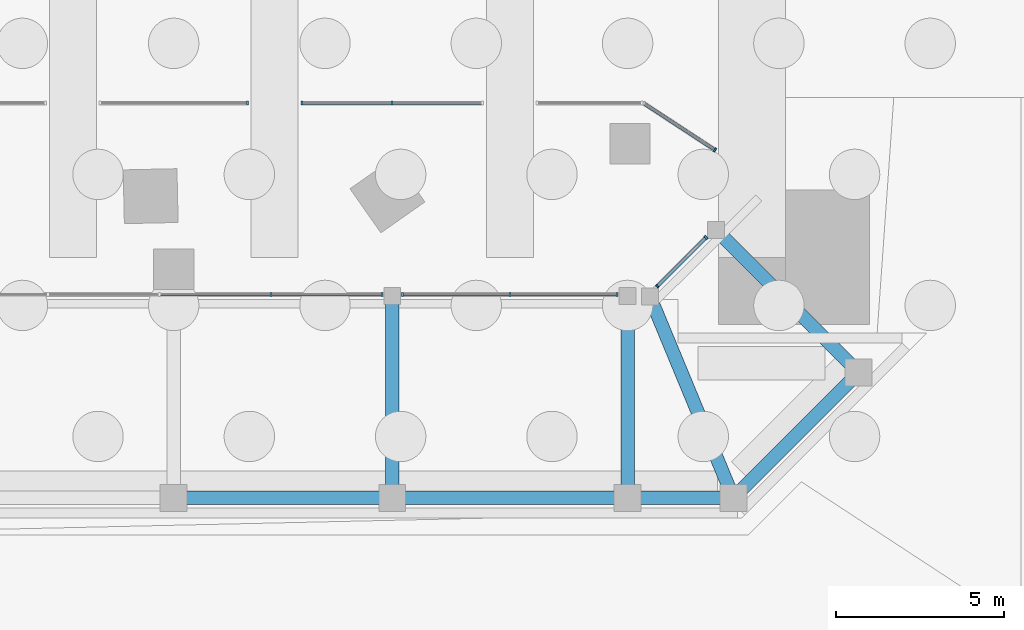
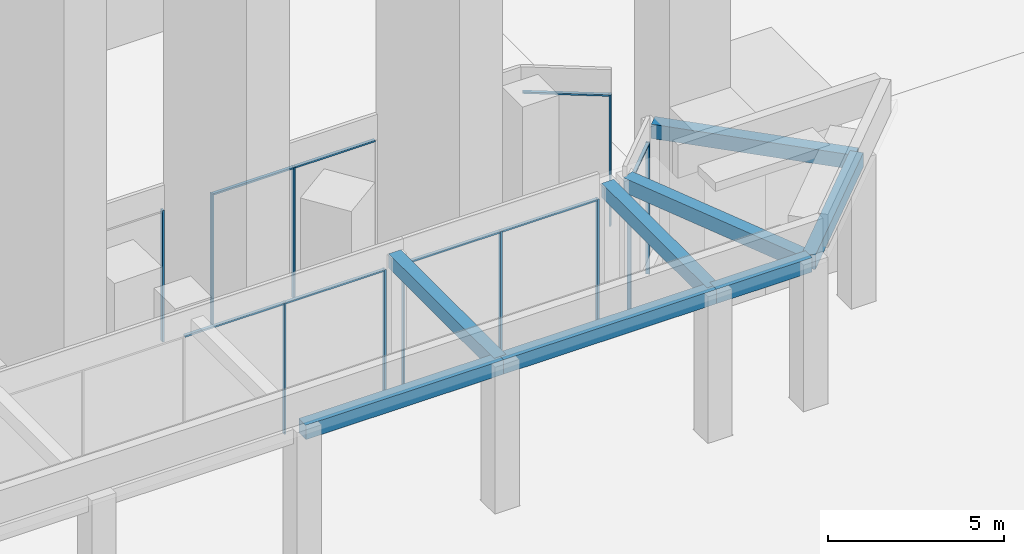
# One storey, part 23 of 46: 19 members, 8 beams, 6 elements without a shape of their own.
"""IFC4 building model written with IfcOpenShell, lengths in metres."""

from ifc_helpers import new_model, si_unit, direction, frame, origin, origin_2d, place, context, subcontext, project, spatial, rectangle, extrude, material, material_profile, profile_set, type_object, element, aggregate, save


model = new_model("IFC4")

# Units and contexts
model_context = context("Model", 3, precision=1e-05, world=origin(), true_north=direction((0.0, 1.0)))
body_context = subcontext(model_context, "Body", "Model", "MODEL_VIEW")
ifc_project = project(units=[si_unit("LENGTHUNIT", "METRE"), si_unit("AREAUNIT", "SQUARE_METRE"), si_unit("VOLUMEUNIT", "CUBIC_METRE"), si_unit("PLANEANGLEUNIT", "RADIAN"), si_unit("MASSUNIT", "GRAM", prefix="KILO")], contexts=[model_context])

# Site, building, storey
site_placement = place(None, origin())
site = spatial("IfcSite", under=ifc_project, at=site_placement, CompositionType="ELEMENT")
building_placement = place(site_placement, origin())
building = spatial("IfcBuilding", under=site, at=building_placement, Name="Mangrove Gate Tower", CompositionType="ELEMENT")
storey_placement = place(building_placement, origin())
storey = spatial("IfcBuildingStorey", under=building, at=storey_placement, Name="L00", CompositionType="ELEMENT", Elevation=0.0)

# Beams
ifc_material_1 = material(Name="Concrete C70/85", Category="concrete")
ifc_material_profile_1 = material_profile(ifc_material_1, rectangle(XDim=0.39990234375, YDim=0.5, at=origin_2d()))
ifc_profile_set_1 = profile_set([ifc_material_profile_1], Name="Concrete C70/85")
beam_type = type_object("IfcBeamType", Name="Canopy beam RC 400x500 C70/85", PredefinedType="BEAM", material=ifc_profile_set_1)
beam_1_placement = place(storey_placement, frame((18.0, -36.89990234375, 4.830078125), z_axis=(1.0, 0.0, 0.0), x_axis=(0.0, 1.0, 0.0)))
element("IfcBeam", 1, at=beam_1_placement, inside=storey, type_object=beam_type, Name="Canopy beam L00 CES09", PredefinedType="BEAM", context=body_context, shape_type="SweptSolid", body=[
    extrude(rectangle(XDim=0.39990234375, YDim=0.5, at=origin_2d()), origin(), (0.0, 0.0, 1.0), 6.5),
])
beam_2_placement = place(storey_placement, frame((24.5, -36.89990234375, 4.830078125), z_axis=(1.0, 0.0, 0.0), x_axis=(0.0, 1.0, 0.0)))
element("IfcBeam", 2, at=beam_2_placement, inside=storey, type_object=beam_type, Name="Canopy beam L00 CES10", PredefinedType="BEAM", context=body_context, shape_type="SweptSolid", body=[
    extrude(rectangle(XDim=0.39990234375, YDim=0.5, at=origin_2d()), origin(), (0.0, 0.0, 1.0), 7.0),
])
beam_3_placement = place(storey_placement, frame((31.5, -36.89990234375, 4.830078125), z_axis=(1.0, 0.0, 0.0), x_axis=(0.0, 1.0, 0.0)))
element("IfcBeam", 3, at=beam_3_placement, inside=storey, type_object=beam_type, Name="Canopy beam L00 CES11", PredefinedType="BEAM", context=body_context, shape_type="SweptSolid", body=[
    extrude(rectangle(XDim=0.39990234375, YDim=0.5, at=origin_2d()), origin(), (0.0, 0.0, 1.0), 3.14404296875),
])
beam_4_placement = place(storey_placement, frame((34.64404296875, -36.89990234375, 4.830078125), z_axis=(0.707129935029, 0.707083626586, 0.0), x_axis=(-0.707083626586, 0.707129935029, 0.0)))
element("IfcBeam", 4, at=beam_4_placement, inside=storey, type_object=beam_type, Name="Canopy beam L00 CES12", PredefinedType="BEAM", context=body_context, shape_type="SweptSolid", body=[
    extrude(rectangle(XDim=0.39990234375, YDim=0.5, at=origin_2d()), origin(), (0.0, 0.0, 1.0), 5.27197265625),
])
for number, where, z_axis, x_axis, name in (
    (5, (24.5, -30.89990234375, 4.830078125), (0.0, -1.0, 0.0), (1.0, 0.0, 0.0), "Canopy beam L00 CBS10"),
    (6, (31.5, -30.89990234375, 4.830078125), (0.0, -1.0, 0.0), (1.0, 0.0, 0.0), "Canopy beam L00 CBS11"),
):
    element("IfcBeam", number, at=place(storey_placement, frame(where, z_axis=z_axis, x_axis=x_axis)), inside=storey, type_object=beam_type, Name=name, PredefinedType="BEAM", context=body_context, shape_type="SweptSolid", body=[
        extrude(rectangle(XDim=0.39990234375, YDim=0.5, at=origin_2d()), origin(), (0.0, 0.0, 1.0), 6.0),
    ])
beam_5_placement = place(storey_placement, frame((32.16162109375, -30.90771484375, 4.830078125), z_axis=(0.382732984475, -0.923859005798, 0.0), x_axis=(0.923859005798, 0.382732984475, 0.0)))
element("IfcBeam", 7, at=beam_5_placement, inside=storey, type_object=beam_type, Name="Canopy beam L00 CBS12", PredefinedType="BEAM", context=body_context, shape_type="SweptSolid", body=[
    extrude(rectangle(XDim=0.39990234375, YDim=0.5, at=origin_2d()), origin(), (0.0, 0.0, 1.0), 6.486083984375),
])
beam_6_placement = place(storey_placement, frame((34.12939453125, -28.92919921875, 4.830078125), z_axis=(0.707086436595, -0.707127125192, 0.0), x_axis=(0.707127125192, 0.707086436595, 0.0)))
element("IfcBeam", 8, at=beam_6_placement, inside=storey, type_object=beam_type, Name="Canopy beam L00 CBS13", PredefinedType="BEAM", context=body_context, shape_type="SweptSolid", body=[
    extrude(rectangle(XDim=0.39990234375, YDim=0.5, at=origin_2d()), origin(), (0.0, 0.0, 1.0), 6.000244140625),
])

# Curtain wall, member
ifc_material_2 = material(Name="Aluminium and glass curtain wall", Category="aluminium")
curtain_wall_type = type_object("IfcCurtainWallType", Name="Podium shopfront glazing wall", PredefinedType="NOTDEFINED", material=ifc_material_2)
curtain_wall_1_placement = place(storey_placement, origin())
curtain_wall_1 = element("IfcCurtainWall", 9, at=curtain_wall_1_placement, inside=storey, type_object=curtain_wall_type, Name="Podium shopfront glazing N0s1", PredefinedType="NOTDEFINED")
ifc_material_3 = material(Name="Aluminium alloy 6063-T6", Category="aluminium")
ifc_material_profile_2 = material_profile(ifc_material_3, rectangle(XDim=0.06005859375, YDim=0.1201171875, at=origin_2d()))
ifc_profile_set_2 = profile_set([ifc_material_profile_2], Name="Aluminium alloy 6063-T6")
member_type_1 = type_object("IfcMemberType", Name="Podium shopfront glazing mullion 60x120", PredefinedType="MULLION", material=ifc_profile_set_2)
member_1_placement = place(storey_placement, frame((34.094970703125, -26.55078125, 0.0), z_axis=(0.0, 0.0, 1.0), x_axis=(-0.836658727453, 0.547724541879, 0.0)))
member_1 = element("IfcMember", 10, at=member_1_placement, type_object=member_type_1, Name="CWS mullion 1", PredefinedType="MULLION", context=body_context, shape_type="SweptSolid", body=[
    extrude(rectangle(XDim=0.06005859375, YDim=0.1201171875, at=origin_2d()), origin(), (0.0, 0.0, 1.0), 4.570068359375),
])

# Curtain wall, members
curtain_wall_2_placement = place(storey_placement, origin())
curtain_wall_2 = element("IfcCurtainWall", 11, at=curtain_wall_2_placement, inside=storey, type_object=curtain_wall_type, Name="Podium shopfront glazing N4011s1", PredefinedType="NOTDEFINED")
member_2_placement = place(storey_placement, frame((24.5, -25.14990234375, 0.0), z_axis=(0.0, 0.0, 1.0), x_axis=(-1.0, 0.0, 0.0)))
member_2 = element("IfcMember", 12, at=member_2_placement, type_object=member_type_1, Name="CWS mullion 2", PredefinedType="MULLION", context=body_context, shape_type="SweptSolid", body=[
    extrude(rectangle(XDim=0.06005859375, YDim=0.1201171875, at=origin_2d()), origin(), (0.0, 0.0, 1.0), 4.570068359375),
])
member_3_placement = place(storey_placement, frame((21.81005859375, -25.14990234375, 0.0), z_axis=(0.0, 0.0, 1.0), x_axis=(-1.0, 0.0, 0.0)))
member_3 = element("IfcMember", 13, at=member_3_placement, type_object=member_type_1, Name="CWS mullion 3", PredefinedType="MULLION", context=body_context, shape_type="SweptSolid", body=[
    extrude(rectangle(XDim=0.06005859375, YDim=0.1201171875, at=origin_2d()), origin(), (0.0, 0.0, 1.0), 4.570068359375),
])

# Curtain wall, member
curtain_wall_3_placement = place(storey_placement, origin())
curtain_wall_3 = element("IfcCurtainWall", 14, at=curtain_wall_3_placement, inside=storey, type_object=curtain_wall_type, Name="Podium shopfront glazing N4012s1", PredefinedType="NOTDEFINED")
member_4_placement = place(storey_placement, frame((20.18994140625, -25.14990234375, 0.0), z_axis=(0.0, 0.0, 1.0), x_axis=(-1.0, 0.0, 0.0)))
member_4 = element("IfcMember", 15, at=member_4_placement, type_object=member_type_1, Name="CWS mullion 1", PredefinedType="MULLION", context=body_context, shape_type="SweptSolid", body=[
    extrude(rectangle(XDim=0.06005859375, YDim=0.1201171875, at=origin_2d()), origin(), (0.0, 0.0, 1.0), 4.570068359375),
])
aggregate(curtain_wall_3, [member_4])

# Curtain wall, members
curtain_wall_4_placement = place(storey_placement, origin())
curtain_wall_4 = element("IfcCurtainWall", 16, at=curtain_wall_4_placement, inside=storey, type_object=curtain_wall_type, Name="Podium shopfront glazing S4s3", PredefinedType="NOTDEFINED")
member_5_placement = place(storey_placement, frame((20.89990234375, -30.85009765625, 0.0), z_axis=(0.0, 0.0, 1.0), x_axis=(1.0, 0.0, 0.0)))
member_5 = element("IfcMember", 17, at=member_5_placement, type_object=member_type_1, Name="CWS mullion 6", PredefinedType="MULLION", context=body_context, shape_type="SweptSolid", body=[
    extrude(rectangle(XDim=0.06005859375, YDim=0.1201171875, at=origin_2d()), origin(), (0.0, 0.0, 1.0), 4.570068359375),
])
member_6_placement = place(storey_placement, frame((24.18994140625, -30.85009765625, 0.0), z_axis=(0.0, 0.0, 1.0), x_axis=(1.0, 0.0, 0.0)))
member_6 = element("IfcMember", 18, at=member_6_placement, type_object=member_type_1, Name="CWS mullion 7", PredefinedType="MULLION", context=body_context, shape_type="SweptSolid", body=[
    extrude(rectangle(XDim=0.06005859375, YDim=0.1201171875, at=origin_2d()), origin(), (0.0, 0.0, 1.0), 4.570068359375),
])

curtain_wall_5_placement = place(storey_placement, origin())
curtain_wall_5 = element("IfcCurtainWall", 19, at=curtain_wall_5_placement, inside=storey, type_object=curtain_wall_type, Name="Podium shopfront glazing S4s4", PredefinedType="NOTDEFINED")
member_7_placement = place(storey_placement, frame((24.81005859375, -30.85009765625, 0.0), z_axis=(0.0, 0.0, 1.0), x_axis=(1.0, 0.0, 0.0)))
member_7 = element("IfcMember", 20, at=member_7_placement, type_object=member_type_1, Name="CWS mullion 1", PredefinedType="MULLION", context=body_context, shape_type="SweptSolid", body=[
    extrude(rectangle(XDim=0.06005859375, YDim=0.1201171875, at=origin_2d()), origin(), (0.0, 0.0, 1.0), 4.570068359375),
])
member_8_placement = place(storey_placement, frame((28.0, -30.85009765625, 0.0), z_axis=(0.0, 0.0, 1.0), x_axis=(1.0, 0.0, 0.0)))
member_8 = element("IfcMember", 21, at=member_8_placement, type_object=member_type_1, Name="CWS mullion 2", PredefinedType="MULLION", context=body_context, shape_type="SweptSolid", body=[
    extrude(rectangle(XDim=0.06005859375, YDim=0.1201171875, at=origin_2d()), origin(), (0.0, 0.0, 1.0), 4.570068359375),
])
member_9_placement = place(storey_placement, frame((31.18994140625, -30.85009765625, 0.0), z_axis=(0.0, 0.0, 1.0), x_axis=(1.0, 0.0, 0.0)))
member_9 = element("IfcMember", 22, at=member_9_placement, type_object=member_type_1, Name="CWS mullion 3", PredefinedType="MULLION", context=body_context, shape_type="SweptSolid", body=[
    extrude(rectangle(XDim=0.06005859375, YDim=0.1201171875, at=origin_2d()), origin(), (0.0, 0.0, 1.0), 4.570068359375),
])

curtain_wall_6_placement = place(storey_placement, origin())
curtain_wall_6 = element("IfcCurtainWall", 23, at=curtain_wall_6_placement, inside=storey, type_object=curtain_wall_type, Name="Podium shopfront glazing E5s1", PredefinedType="NOTDEFINED")
member_10_placement = place(storey_placement, frame((32.38134765625, -30.6064453125, 0.0), z_axis=(0.0, 0.0, 1.0), x_axis=(0.707106781187, 0.707106781187, 0.0)))
member_10 = element("IfcMember", 24, at=member_10_placement, type_object=member_type_1, Name="CWS mullion 1", PredefinedType="MULLION", context=body_context, shape_type="SweptSolid", body=[
    extrude(rectangle(XDim=0.06005859375, YDim=0.1201171875, at=origin_2d()), origin(), (0.0, 0.0, 1.0), 4.570068359375),
])
member_11_placement = place(storey_placement, frame((33.828125, -29.159912109375, 0.0), z_axis=(0.0, 0.0, 1.0), x_axis=(0.707106781187, 0.707106781187, 0.0)))
member_11 = element("IfcMember", 25, at=member_11_placement, type_object=member_type_1, Name="CWS mullion 2", PredefinedType="MULLION", context=body_context, shape_type="SweptSolid", body=[
    extrude(rectangle(XDim=0.06005859375, YDim=0.1201171875, at=origin_2d()), origin(), (0.0, 0.0, 1.0), 4.570068359375),
])

# Member
ifc_material_4 = material(Name="Aluminium alloy 6063-T6", Category="aluminium")
ifc_material_profile_3 = material_profile(ifc_material_4, rectangle(XDim=0.06005859375, YDim=0.10009765625, at=origin_2d()))
ifc_profile_set_3 = profile_set([ifc_material_profile_3], Name="Aluminium alloy 6063-T6")
member_type_2 = type_object("IfcMemberType", Name="Podium shopfront glazing transom 60x100", PredefinedType="USERDEFINED", material=ifc_profile_set_3)
member_12_placement = place(storey_placement, frame((34.06982421875, -26.5341796875, 4.5400390625), z_axis=(-0.836694097525, 0.547670509674, 0.0), x_axis=(0.0, 0.0, 1.0)))
member_12 = element("IfcMember", 26, at=member_12_placement, type_object=member_type_2, Name="CWS transom 1.2", ObjectType="TRANSOM", PredefinedType="USERDEFINED", context=body_context, shape_type="SweptSolid", body=[
    extrude(rectangle(XDim=0.06005859375, YDim=0.10009765625, at=origin_2d()), origin(), (0.0, 0.0, 1.0), 2.46728515625),
])

aggregate(curtain_wall_1, [member_1, member_12])

member_13_placement = place(storey_placement, frame((27.159912109375, -25.14990234375, 4.5400390625), z_axis=(-1.0, 0.0, 0.0), x_axis=(0.0, 0.0, 1.0)))
member_13 = element("IfcMember", 27, at=member_13_placement, type_object=member_type_2, Name="CWS transom 1.2", ObjectType="TRANSOM", PredefinedType="USERDEFINED", context=body_context, shape_type="SweptSolid", body=[
    extrude(rectangle(XDim=0.06005859375, YDim=0.10009765625, at=origin_2d()), origin(), (0.0, 0.0, 1.0), 2.6298828125),
])

member_14_placement = place(storey_placement, frame((24.469970703125, -25.14990234375, 4.5400390625), z_axis=(-1.0, 0.0, 0.0), x_axis=(0.0, 0.0, 1.0)))
member_14 = element("IfcMember", 28, at=member_14_placement, type_object=member_type_2, Name="CWS transom 2.2", ObjectType="TRANSOM", PredefinedType="USERDEFINED", context=body_context, shape_type="SweptSolid", body=[
    extrude(rectangle(XDim=0.06005859375, YDim=0.10009765625, at=origin_2d()), origin(), (0.0, 0.0, 1.0), 2.6298828125),
])

aggregate(curtain_wall_2, [member_2, member_3, member_13, member_14])

member_15_placement = place(storey_placement, frame((17.610107421875, -30.85009765625, 4.5400390625), z_axis=(1.0, 0.0, 0.0), x_axis=(0.0, 0.0, 1.0)))
member_15 = element("IfcMember", 29, at=member_15_placement, type_object=member_type_2, Name="CWS transom 5.2", ObjectType="TRANSOM", PredefinedType="USERDEFINED", context=body_context, shape_type="SweptSolid", body=[
    extrude(rectangle(XDim=0.06005859375, YDim=0.10009765625, at=origin_2d()), origin(), (0.0, 0.0, 1.0), 3.260009765625),
])

member_16_placement = place(storey_placement, frame((20.929931640625, -30.85009765625, 4.5400390625), z_axis=(1.0, 0.0, 0.0), x_axis=(0.0, 0.0, 1.0)))
member_16 = element("IfcMember", 30, at=member_16_placement, type_object=member_type_2, Name="CWS transom 6.2", ObjectType="TRANSOM", PredefinedType="USERDEFINED", context=body_context, shape_type="SweptSolid", body=[
    extrude(rectangle(XDim=0.06005859375, YDim=0.10009765625, at=origin_2d()), origin(), (0.0, 0.0, 1.0), 3.22998046875),
])

aggregate(curtain_wall_4, [member_5, member_6, member_15, member_16])

member_17_placement = place(storey_placement, frame((24.840087890625, -30.85009765625, 4.5400390625), z_axis=(1.0, 0.0, 0.0), x_axis=(0.0, 0.0, 1.0)))
member_17 = element("IfcMember", 31, at=member_17_placement, type_object=member_type_2, Name="CWS transom 1.2", ObjectType="TRANSOM", PredefinedType="USERDEFINED", context=body_context, shape_type="SweptSolid", body=[
    extrude(rectangle(XDim=0.06005859375, YDim=0.10009765625, at=origin_2d()), origin(), (0.0, 0.0, 1.0), 3.1298828125),
])

member_18_placement = place(storey_placement, frame((28.030029296875, -30.85009765625, 4.5400390625), z_axis=(1.0, 0.0, 0.0), x_axis=(0.0, 0.0, 1.0)))
member_18 = element("IfcMember", 32, at=member_18_placement, type_object=member_type_2, Name="CWS transom 2.2", ObjectType="TRANSOM", PredefinedType="USERDEFINED", context=body_context, shape_type="SweptSolid", body=[
    extrude(rectangle(XDim=0.06005859375, YDim=0.10009765625, at=origin_2d()), origin(), (0.0, 0.0, 1.0), 3.1298828125),
])

aggregate(curtain_wall_5, [member_7, member_8, member_9, member_17, member_18])

member_19_placement = place(storey_placement, frame((32.402587890625, -30.585205078125, 4.5400390625), z_axis=(0.707106781187, 0.707106781187, 0.0), x_axis=(0.0, 0.0, 1.0)))
member_19 = element("IfcMember", 33, at=member_19_placement, type_object=member_type_2, Name="CWS transom 1.2", ObjectType="TRANSOM", PredefinedType="USERDEFINED", context=body_context, shape_type="SweptSolid", body=[
    extrude(rectangle(XDim=0.06005859375, YDim=0.10009765625, at=origin_2d()), origin(), (0.0, 0.0, 1.0), 1.986083984375),
])

aggregate(curtain_wall_6, [member_10, member_11, member_19])

save(model, "model.ifc")
